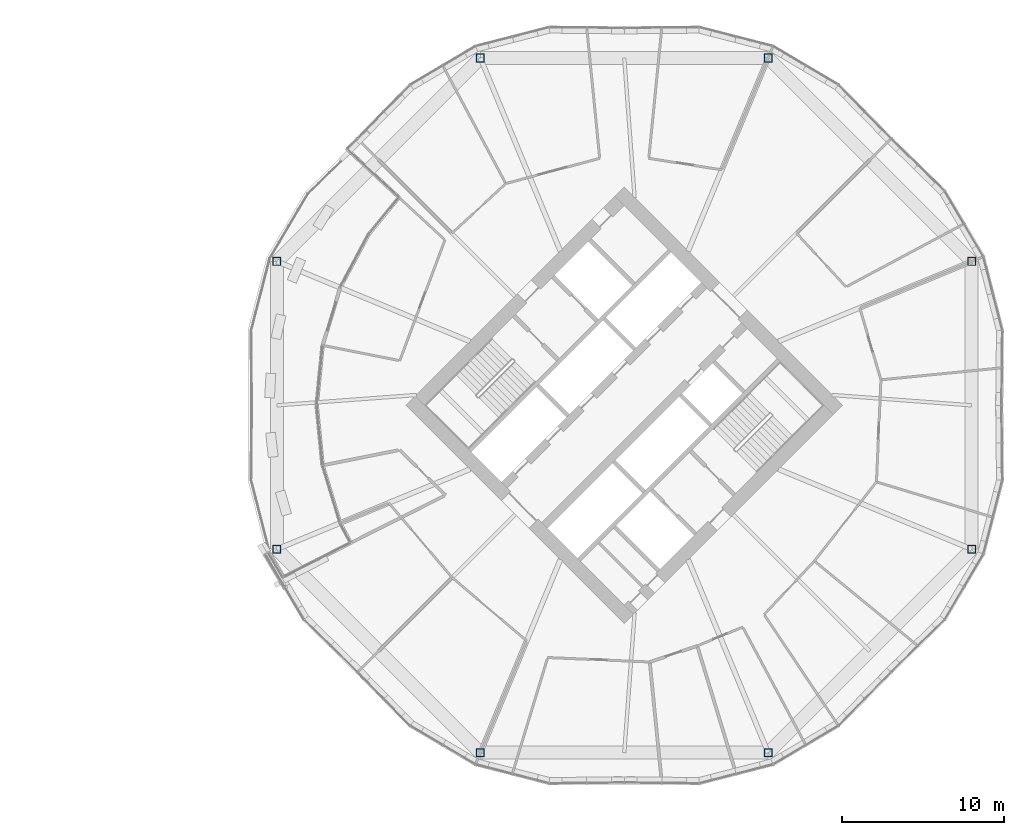
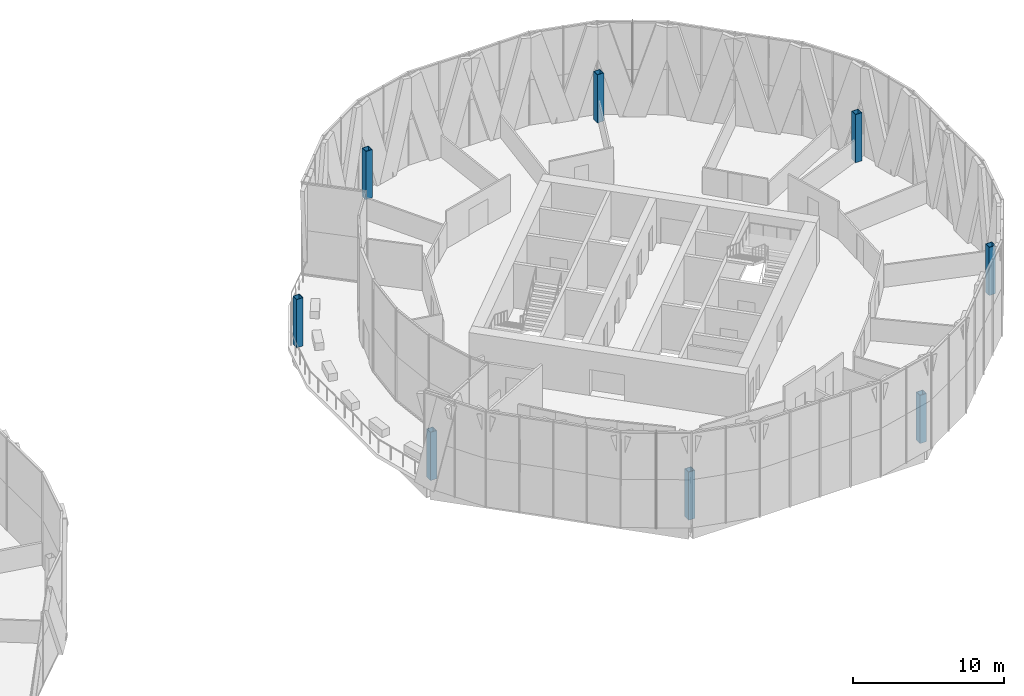
# One storey, part 2 of 31: 8 columns.
"""IFC4 building model written with IfcOpenShell, lengths in metres."""

import ifcopenshell
import ifcopenshell.guid

model = None  # the IFC model being written
_history = None  # IfcOwnerHistory: only IFC2X3 demands one
_inside = {}  # id of a spatial element -> (the spatial element, [elements in it])
_under = {}  # id of a project, library or spatial element -> (it, [spatial elements below it])
_declared = {}  # id of a project -> (the project, [libraries it declares])
_typed = {}  # id of a type object -> (the type object, [elements of that type])
_made_of = {}  # id of a material, layer set ... -> (it, [elements and type objects made of it])


def new_model(schema):
    """Start an empty IFC model of exactly this schema.

    Asked for "IFC4X3", IfcOpenShell would pick the latest addendum, in which some entities
    have other attributes; the version numbers below select the first issue.
    IFC2X3 requires an IfcOwnerHistory on every rooted entity: one is made here for all.
    """
    global model, _history
    if schema == "IFC4X3":
        model = ifcopenshell.file(schema_version=(4, 3, 0, 0))
    else:
        model = ifcopenshell.file(schema=schema)
    _inside.clear()
    _under.clear()
    _declared.clear()
    _typed.clear()
    _made_of.clear()
    _history = None
    if model.schema == "IFC2X3":
        org = make("IfcOrganization", Name="unknown")
        user = make(
            "IfcPersonAndOrganization",
            ThePerson=make("IfcPerson", FamilyName="unknown"),
            TheOrganization=org,
        )
        app = make(
            "IfcApplication",
            ApplicationDeveloper=org,
            Version="unknown",
            ApplicationFullName="unknown",
            ApplicationIdentifier="unknown",
        )
        _history = make(
            "IfcOwnerHistory",
            OwningUser=user,
            OwningApplication=app,
            ChangeAction="ADDED",
            CreationDate=0,
        )
    return model


def make(cls, **values):
    """One entity of the class cls with the attributes given. An attribute that is None is left unset."""
    return model.create_entity(
        cls, **{name: value for name, value in values.items() if value is not None}
    )


def rooted(cls, **values):
    """An entity with a GlobalId (a new one), such as an element, a storey or a relation."""
    return make(cls, GlobalId=ifcopenshell.guid.new(), OwnerHistory=_history, **values)


def si_unit(unit_type, name, prefix=None):
    """IfcSIUnit, for example si_unit("LENGTHUNIT", "METRE", prefix="MILLI")."""
    return make("IfcSIUnit", UnitType=unit_type, Prefix=prefix, Name=name)


def assignment(units):
    """IfcUnitAssignment: the units of a project."""
    return None if units is None else make("IfcUnitAssignment", Units=units)


def point(xyz):
    """IfcCartesianPoint."""
    return None if xyz is None else make("IfcCartesianPoint", Coordinates=xyz)


def direction(xyz):
    """IfcDirection."""
    return None if xyz is None else make("IfcDirection", DirectionRatios=xyz)


def frame(location, z_axis=None, x_axis=None):
    """IfcAxis2Placement3D, a coordinate frame: its origin and axes. An axis left out is left unset."""
    return make(
        "IfcAxis2Placement3D",
        Location=point(location),
        Axis=direction(z_axis),
        RefDirection=direction(x_axis),
    )


def frame_2d(location, x_axis=None):
    """IfcAxis2Placement2D, a coordinate frame in the plane: its origin and x axis."""
    return make(
        "IfcAxis2Placement2D", Location=point(location), RefDirection=direction(x_axis)
    )


def origin():
    """The frame at (0, 0, 0) with its axes left unset."""
    return frame((0.0, 0.0, 0.0))


def origin_2d():
    """The frame at (0, 0) in the plane with its x axis left unset."""
    return frame_2d((0.0, 0.0))


def place(relative_to, where):
    """IfcLocalPlacement: puts the frame where relative to a parent placement (None: the world)."""
    return make(
        "IfcLocalPlacement", PlacementRelTo=relative_to, RelativePlacement=where
    )


def context(
    kind, dimensions, precision=None, world=None, true_north=None, identifier=None
):
    """IfcGeometricRepresentationContext, for example the 3D "Model" context."""
    return make(
        "IfcGeometricRepresentationContext",
        ContextIdentifier=identifier,
        ContextType=kind,
        CoordinateSpaceDimension=dimensions,
        Precision=precision,
        WorldCoordinateSystem=world,
        TrueNorth=true_north,
    )


def subcontext(parent, identifier, kind, view, scale=None):
    """IfcGeometricRepresentationSubContext, for example "Body" below "Model"."""
    return make(
        "IfcGeometricRepresentationSubContext",
        ContextIdentifier=identifier,
        ContextType=kind,
        ParentContext=parent,
        TargetScale=scale,
        TargetView=view,
    )


def project(units=None, contexts=None):
    """IfcProject with its units and contexts."""
    return rooted(
        "IfcProject",
        Name="project",
        RepresentationContexts=contexts,
        UnitsInContext=assignment(units),
    )


def spatial(cls, under=None, at=None, **own):
    """A site, building, storey or space (cls), placed at a placement, below another one or the project."""
    s = rooted(cls, ObjectPlacement=at, **own)
    if under is not None:
        _under.setdefault(under.id(), (under, []))[1].append(s)
    return s


def profile(cls, at=None, kind="AREA", **sizes):
    """A parametric profile (cls). Its sizes go by their IFC names, for example OverallWidth=200.0."""
    return make(cls, ProfileType=kind, Position=at, **sizes)


def hollow_rectangle(**sizes):
    """IfcRectangleHollowProfileDef."""
    return profile("IfcRectangleHollowProfileDef", **sizes)


def extrude(swept, where, along, depth):
    """IfcExtrudedAreaSolid: the profile swept, set in the frame where, extruded along a direction by depth."""
    return make(
        "IfcExtrudedAreaSolid",
        SweptArea=swept,
        Position=where,
        ExtrudedDirection=direction(along),
        Depth=depth,
    )


def shape(context_of_items, identifier, shape_type, items):
    """IfcShapeRepresentation: the items that make up one representation, for example the "Body"."""
    return make(
        "IfcShapeRepresentation",
        ContextOfItems=context_of_items,
        RepresentationIdentifier=identifier,
        RepresentationType=shape_type,
        Items=items,
    )


def material(Name=None, Category=None):
    """IfcMaterial."""
    return make("IfcMaterial", Name=Name, Category=Category)


def material_profile(
    of_material, cross_section, Name=None, Category=None, Priority=None
):
    """IfcMaterialProfile: a cross section and its material."""
    return make(
        "IfcMaterialProfile",
        Name=Name,
        Material=of_material,
        Profile=cross_section,
        Priority=Priority,
        Category=Category,
    )


def profile_set(profiles, Name=None, composite=None):
    """IfcMaterialProfileSet."""
    return make(
        "IfcMaterialProfileSet",
        Name=Name,
        MaterialProfiles=profiles,
        CompositeProfile=composite,
    )


def made_of(thing, what):
    """Note that an element or type object is made of a material, layer set ...; save() writes the relation."""
    if what is not None:
        _made_of.setdefault(what.id(), (what, []))[1].append(thing)
    return thing


def type_object(cls, material=None, **own):
    """A type object (cls), such as IfcWallType, which elements share."""
    return made_of(rooted(cls, **own), material)


def element(
    cls,
    number,
    at=None,
    inside=None,
    cuts=None,
    type_object=None,
    material=None,
    context=None,
    identifier="Body",
    shape_type=None,
    held_by="IfcProductDefinitionShape",
    body=None,
    shapes=None,
    **own,
):
    """One element of the class cls, such as IfcWall. Its Tag is "e" and its number.

    at: its placement. inside: the storey or other place that contains it. cuts: it is an
    opening in that element (IfcRelVoidsElement). A single representation is given by context,
    identifier, shape_type and body (its items); several are given by shapes. held_by: the class
    of the entity that holds the representations. save() writes the other relations.
    """
    e = rooted(cls, Tag="e%d" % number, ObjectPlacement=at, **own)
    if body is not None:
        shapes = [shape(context, identifier, shape_type, body)]
    if shapes is not None:
        e.Representation = make(held_by, Representations=shapes)
    if inside is not None:
        _inside.setdefault(inside.id(), (inside, []))[1].append(e)
    if cuts is not None:
        rooted(
            "IfcRelVoidsElement", RelatingBuildingElement=cuts, RelatedOpeningElement=e
        )
    if type_object is not None:
        _typed.setdefault(type_object.id(), (type_object, []))[1].append(e)
    return made_of(e, material)


def aggregate(whole, parts):
    """IfcRelAggregates: a whole, such as a stair, and the parts it consists of."""
    return rooted("IfcRelAggregates", RelatingObject=whole, RelatedObjects=parts)


def save(model, path):
    """Write the relations noted so far, then the file.

    IfcRelAggregates (storeys below a building ...), IfcRelContainedInSpatialStructure (elements
    in a storey), IfcRelDefinesByType, IfcRelAssociatesMaterial and IfcRelDeclares: one each for
    every whole, place, type object, material and project.
    """
    for whole, parts in _under.values():
        aggregate(whole, parts)
    for where, things in _inside.values():
        rooted(
            "IfcRelContainedInSpatialStructure",
            RelatedElements=things,
            RelatingStructure=where,
        )
    for kind, things in _typed.values():
        rooted("IfcRelDefinesByType", RelatedObjects=things, RelatingType=kind)
    for what, things in _made_of.values():
        rooted("IfcRelAssociatesMaterial", RelatedObjects=things, RelatingMaterial=what)
    for by, libraries in _declared.values():
        rooted("IfcRelDeclares", RelatingContext=by, RelatedDefinitions=libraries)
    model.write(path)


model = new_model("IFC4")

# Units and contexts
model_context = context("Model", 3, precision=1e-05, world=origin(), true_north=direction((0.0, 1.0)))
body_context = subcontext(model_context, "Body", "Model", "MODEL_VIEW")
ifc_project = project(units=[si_unit("LENGTHUNIT", "METRE"), si_unit("AREAUNIT", "SQUARE_METRE"), si_unit("VOLUMEUNIT", "CUBIC_METRE"), si_unit("PLANEANGLEUNIT", "RADIAN"), si_unit("MASSUNIT", "GRAM", prefix="KILO")], contexts=[model_context])

# Site, building, storey
site_placement = place(None, origin())
site = spatial("IfcSite", under=ifc_project, at=site_placement, CompositionType="ELEMENT")
building_placement = place(site_placement, origin())
building = spatial("IfcBuilding", under=site, at=building_placement, Name="Ogive Gate Towers", CompositionType="ELEMENT")
storey_placement = place(building_placement, frame((0.0, 0.0, 107.39990234375)))
storey = spatial("IfcBuildingStorey", under=building, at=storey_placement, Name="L25", CompositionType="ELEMENT", Elevation=107.39990234375)

# Columns
ifc_material = material(Name="Steel SM460", Category="steel")
ifc_material_profile = material_profile(ifc_material, hollow_rectangle(XDim=0.5, YDim=0.5, WallThickness=0.030029296875, at=origin_2d()), Name="BX 500x500x30")
ifc_profile_set = profile_set([ifc_material_profile], Name="Steel SM460")
column_type = type_object("IfcColumnType", Name="Perimeter post BX 500x500x30", PredefinedType="COLUMN", material=ifc_profile_set)
for number, where, z_axis, x_axis, name in (
    (1, (57.39697265625, 8.863037109375, 0.0), (0.0, 0.0, 1.0), (1.0, 0.0, 0.0), "T2/L25/SCL001"),
    (2, (44.863037109375, 21.39697265625, 0.0), (0.0, 0.0, 1.0), (1.0, 0.0, 0.0), "T2/L25/SCL002"),
    (3, (27.136962890625, 21.39697265625, 0.0), (0.0, 0.0, 1.0), (1.0, 0.0, 0.0), "T2/L25/SCL003"),
    (4, (14.60302734375, 8.863037109375, 0.0), (0.0, 0.0, 1.0), (1.0, 0.0, 0.0), "T2/L25/SCL004"),
    (5, (14.60302734375, -8.863037109375, 0.0), (0.0, 0.0, 1.0), (1.0, 0.0, 0.0), "T2/L25/SCL005"),
    (6, (27.136962890625, -21.39697265625, 0.0), (0.0, 0.0, 1.0), (1.0, 0.0, 0.0), "T2/L25/SCL006"),
    (7, (44.863037109375, -21.39697265625, 0.0), (0.0, 0.0, 1.0), (1.0, 0.0, 0.0), "T2/L25/SCL007"),
    (8, (57.39697265625, -8.863037109375, 0.0), (0.0, 0.0, 1.0), (1.0, 0.0, 0.0), "T2/L25/SCL008"),
):
    element("IfcColumn", number, at=place(storey_placement, frame(where, z_axis=z_axis, x_axis=x_axis)), inside=storey, type_object=column_type, Name=name, PredefinedType="COLUMN", context=body_context, shape_type="SweptSolid", body=[
        extrude(hollow_rectangle(XDim=0.5, YDim=0.5, WallThickness=0.030029296875, at=origin_2d()), origin(), (0.0, 0.0, 1.0), 3.900146484375),
    ])

save(model, "model.ifc")
